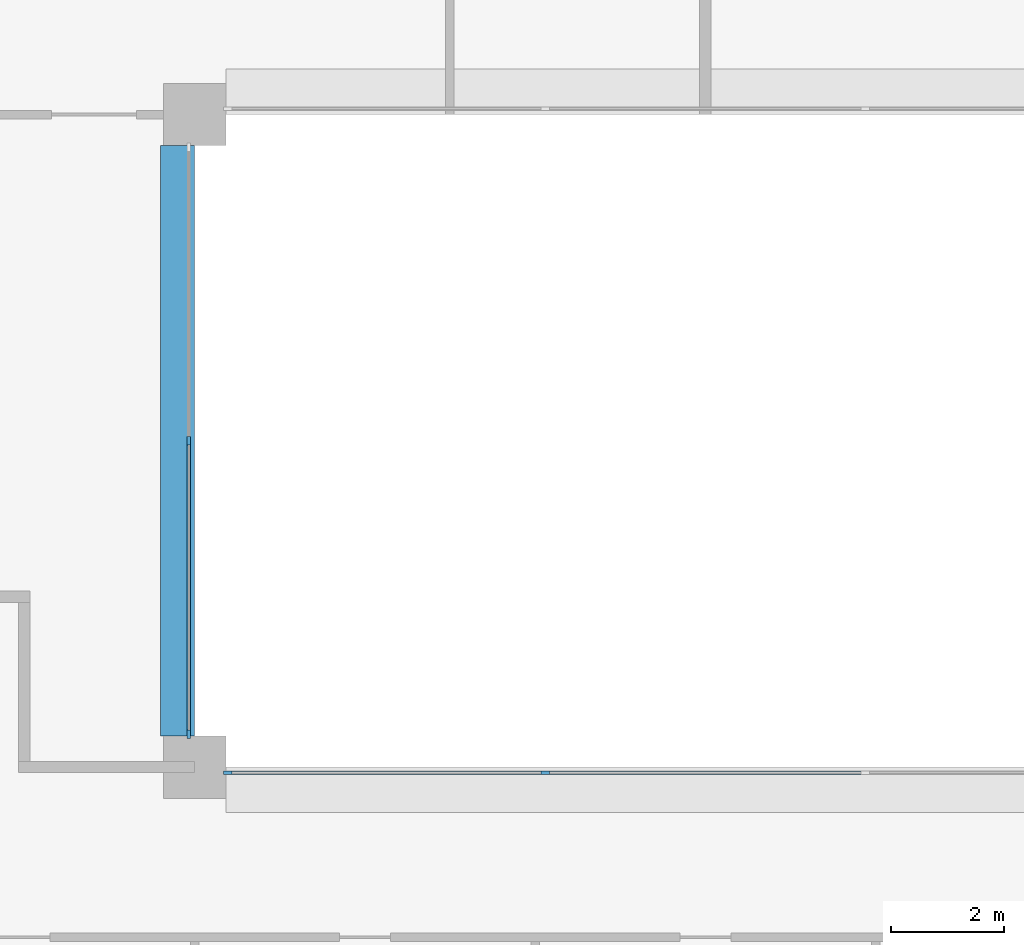
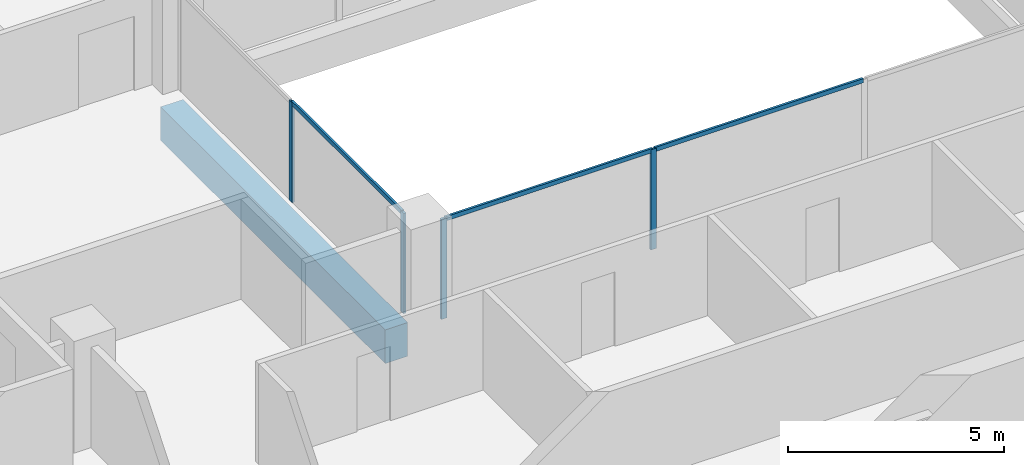
# One storey, part 2 of 15: 7 members, 1 beam, 2 elements without a shape of their own.
"""IFC4 building model written with IfcOpenShell, lengths in metres."""

from ifc_helpers import new_model, si_unit, direction, frame, origin, origin_2d, place, context, subcontext, project, spatial, rectangle, extrude, material, layer, layer_set, material_profile, profile_set, type_object, element, aggregate, save


model = new_model("IFC4")

# Units and contexts
model_context = context("Model", 3, precision=1e-05, world=origin(), true_north=direction((0.0, 1.0)))
body_context = subcontext(model_context, "Body", "Model", "MODEL_VIEW")
ifc_project = project(units=[si_unit("LENGTHUNIT", "METRE"), si_unit("AREAUNIT", "SQUARE_METRE"), si_unit("VOLUMEUNIT", "CUBIC_METRE"), si_unit("PLANEANGLEUNIT", "RADIAN"), si_unit("MASSUNIT", "GRAM", prefix="KILO")], contexts=[model_context])

# Site, building, storey
site_placement = place(None, origin())
site = spatial("IfcSite", under=ifc_project, at=site_placement, CompositionType="ELEMENT")
building_placement = place(site_placement, origin())
building = spatial("IfcBuilding", under=site, at=building_placement, Name="Brigalow Station Residences", CompositionType="ELEMENT")
storey_placement = place(building_placement, frame((0.0, 0.0, 144.449951171875)))
storey = spatial("IfcBuildingStorey", under=building, at=storey_placement, Name="L41", CompositionType="ELEMENT", Elevation=144.449951171875)

# Beam
ifc_material_1 = material(Name="Concrete C65", Category="concrete")
ifc_material_profile_1 = material_profile(ifc_material_1, rectangle(XDim=0.60009765625, YDim=0.949951171875, at=origin_2d()), Name="RC600x950")
ifc_profile_set_1 = profile_set([ifc_material_profile_1], Name="Concrete C65")
beam_type = type_object("IfcBeamType", Name="ATRIUM EDGE GIRDER 600x950 C65", PredefinedType="BEAM", material=ifc_profile_set_1)
beam_placement = place(storey_placement, frame((26.699951171875, 24.550048828125, -0.794921875), z_axis=(0.0, 1.0, 0.0), x_axis=(-1.0, 0.0, 0.0)))
element("IfcBeam", 1, at=beam_placement, inside=storey, type_object=beam_type, Name="ATRIUM EDGE GIRDER 3 L41", PredefinedType="BEAM", context=body_context, shape_type="SweptSolid", body=[
    extrude(rectangle(XDim=0.60009765625, YDim=0.949951171875, at=origin_2d()), origin(), (0.0, 0.0, 1.0), 10.39990234375),
])

# Curtain wall, members
ifc_material_2 = material(Name="Aluminium", Category="aluminium")
ifc_layer = layer(ifc_material_2, 0.14990234375)
ifc_layer_set = layer_set([ifc_layer], Name="ATRIUM FIRE-RATED GLAZING CURTAIN WALL")
curtain_wall_type = type_object("IfcCurtainWallType", Name="ATRIUM FIRE-RATED GLAZING CURTAIN WALL", PredefinedType="NOTDEFINED", material=ifc_layer_set)
curtain_wall_1_placement = place(storey_placement, origin())
curtain_wall_1 = element("IfcCurtainWall", 2, at=curtain_wall_1_placement, inside=storey, type_object=curtain_wall_type, Name="L41/cw/atrium-S", PredefinedType="NOTDEFINED")
ifc_material_3 = material(Name="Aluminium", Category="aluminium")
ifc_material_profile_2 = material_profile(ifc_material_3, rectangle(XDim=0.06005859375, YDim=0.14990234375, at=origin_2d()), Name="ATRIUM FIRE-RATED GLAZING MULLION 60x150")
ifc_profile_set_2 = profile_set([ifc_material_profile_2], Name="Aluminium")
member_type_1 = type_object("IfcMemberType", Name="ATRIUM FIRE-RATED GLAZING MULLION 60x150", PredefinedType="MULLION", material=ifc_profile_set_2)
member_1_placement = place(storey_placement, frame((27.580078125, 23.89990234375, 0.0), z_axis=(0.0, 0.0, 1.0), x_axis=(0.0, 1.0, 0.0)))
member_1 = element("IfcMember", 3, at=member_1_placement, type_object=member_type_1, Name="L41/cw/atrium-S/M00", PredefinedType="MULLION", context=body_context, shape_type="SweptSolid", body=[
    extrude(rectangle(XDim=0.06005859375, YDim=0.14990234375, at=origin_2d()), origin(), (0.0, 0.0, 1.0), 2.830078125),
])
member_2_placement = place(storey_placement, frame((33.183349609375, 23.89990234375, 0.0), z_axis=(0.0, 0.0, 1.0), x_axis=(0.0, 1.0, 0.0)))
member_2 = element("IfcMember", 4, at=member_2_placement, type_object=member_type_1, Name="L41/cw/atrium-S/M01", PredefinedType="MULLION", context=body_context, shape_type="SweptSolid", body=[
    extrude(rectangle(XDim=0.06005859375, YDim=0.14990234375, at=origin_2d()), origin(), (0.0, 0.0, 1.0), 2.830078125),
])

curtain_wall_2_placement = place(storey_placement, origin())
curtain_wall_2 = element("IfcCurtainWall", 5, at=curtain_wall_2_placement, inside=storey, type_object=curtain_wall_type, Name="L41/cw/atrium-W", PredefinedType="NOTDEFINED")
member_3_placement = place(storey_placement, frame((26.89990234375, 29.75, 0.0), z_axis=(0.0, 0.0, 1.0), x_axis=(1.0, 0.0, 0.0)))
member_3 = element("IfcMember", 6, at=member_3_placement, type_object=member_type_1, Name="L41/cw/atrium-W/M01", PredefinedType="MULLION", context=body_context, shape_type="SweptSolid", body=[
    extrude(rectangle(XDim=0.06005859375, YDim=0.14990234375, at=origin_2d()), origin(), (0.0, 0.0, 1.0), 2.830078125),
])
member_4_placement = place(storey_placement, frame((26.89990234375, 24.580078125, 0.0), z_axis=(0.0, 0.0, 1.0), x_axis=(1.0, 0.0, 0.0)))
member_4 = element("IfcMember", 7, at=member_4_placement, type_object=member_type_1, Name="L41/cw/atrium-W/M02", PredefinedType="MULLION", context=body_context, shape_type="SweptSolid", body=[
    extrude(rectangle(XDim=0.06005859375, YDim=0.14990234375, at=origin_2d()), origin(), (0.0, 0.0, 1.0), 2.830078125),
])

# Member
ifc_material_4 = material(Name="Aluminium", Category="aluminium")
ifc_material_profile_3 = material_profile(ifc_material_4, rectangle(XDim=0.06005859375, YDim=0.1201171875, at=origin_2d()), Name="ATRIUM FIRE-RATED GLAZING TRANSOM 60x120")
ifc_profile_set_3 = profile_set([ifc_material_profile_3], Name="Aluminium")
member_type_2 = type_object("IfcMemberType", Name="ATRIUM FIRE-RATED GLAZING TRANSOM 60x120", PredefinedType="USERDEFINED", material=ifc_profile_set_3)
member_5_placement = place(storey_placement, frame((27.610107421875, 23.89990234375, 2.800048828125), z_axis=(1.0, 0.0, 0.0), x_axis=(0.0, 1.0, 0.0)))
member_5 = element("IfcMember", 8, at=member_5_placement, type_object=member_type_2, Name="L41/cw/atrium-S/T00-00", ObjectType="TRANSOM", PredefinedType="USERDEFINED", context=body_context, shape_type="SweptSolid", body=[
    extrude(rectangle(XDim=0.06005859375, YDim=0.1201171875, at=origin_2d()), origin(), (0.0, 0.0, 1.0), 5.543212890625),
])

member_6_placement = place(storey_placement, frame((33.21337890625, 23.89990234375, 2.800048828125), z_axis=(1.0, 0.0, 0.0), x_axis=(0.0, 1.0, 0.0)))
member_6 = element("IfcMember", 9, at=member_6_placement, type_object=member_type_2, Name="L41/cw/atrium-S/T01-00", ObjectType="TRANSOM", PredefinedType="USERDEFINED", context=body_context, shape_type="SweptSolid", body=[
    extrude(rectangle(XDim=0.06005859375, YDim=0.1201171875, at=origin_2d()), origin(), (0.0, 0.0, 1.0), 5.5732421875),
])

aggregate(curtain_wall_1, [member_1, member_2, member_5, member_6])

member_7_placement = place(storey_placement, frame((26.89990234375, 29.719970703125, 2.800048828125), z_axis=(0.0, -1.0, 0.0), x_axis=(1.0, 0.0, 0.0)))
member_7 = element("IfcMember", 10, at=member_7_placement, type_object=member_type_2, Name="L41/cw/atrium-W/T01-00", ObjectType="TRANSOM", PredefinedType="USERDEFINED", context=body_context, shape_type="SweptSolid", body=[
    extrude(rectangle(XDim=0.06005859375, YDim=0.1201171875, at=origin_2d()), origin(), (0.0, 0.0, 1.0), 5.10986328125),
])

aggregate(curtain_wall_2, [member_3, member_4, member_7])

save(model, "model.ifc")
